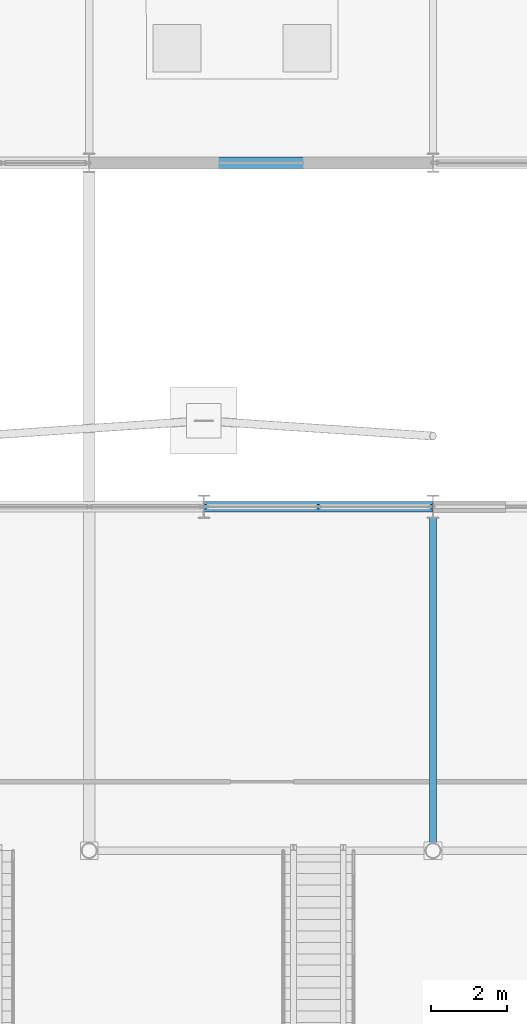
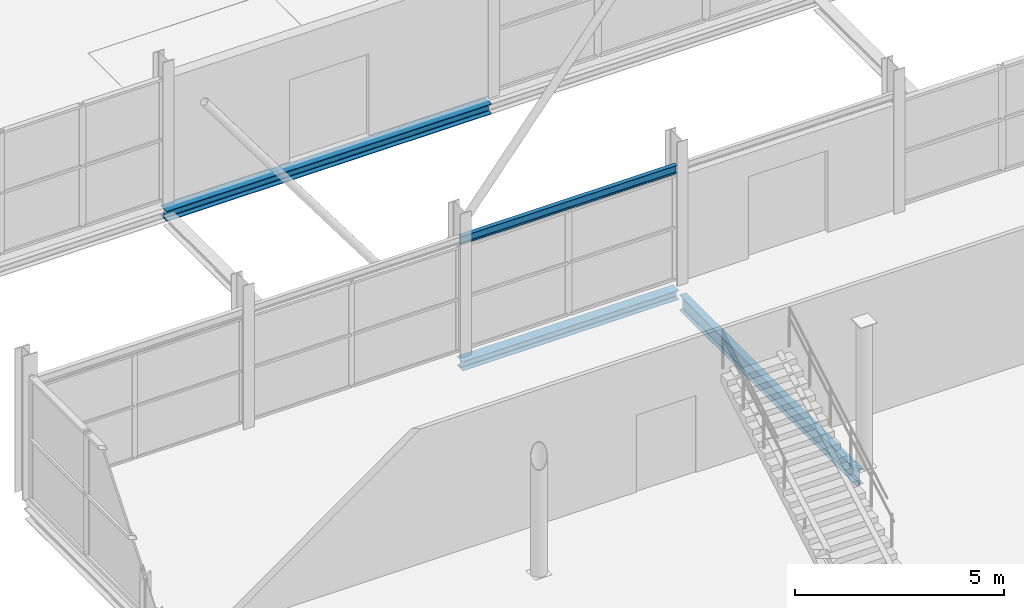
# One storey, part 41 of 140: 4 beams.
"""IFC4 building model written with IfcOpenShell, lengths in metres."""

from ifc_helpers import new_model, si_unit, direction, frame, origin, origin_2d, place, context, subcontext, project, spatial, i_section, extrude, material, material_profile, profile_set, type_object, element, save


model = new_model("IFC4")

# Units and contexts
model_context = context("Model", 3, precision=1e-05, world=origin(), true_north=direction((0.0, 1.0)))
body_context = subcontext(model_context, "Body", "Model", "MODEL_VIEW")
ifc_project = project(units=[si_unit("LENGTHUNIT", "METRE"), si_unit("AREAUNIT", "SQUARE_METRE"), si_unit("VOLUMEUNIT", "CUBIC_METRE"), si_unit("PLANEANGLEUNIT", "RADIAN"), si_unit("MASSUNIT", "GRAM", prefix="KILO")], contexts=[model_context])

# Site, building, storey
site_placement = place(None, origin())
site = spatial("IfcSite", under=ifc_project, at=site_placement, CompositionType="ELEMENT")
building_placement = place(site_placement, origin())
building = spatial("IfcBuilding", under=site, at=building_placement, Name="Deido Ridge Mobility Hub", CompositionType="ELEMENT")
storey_placement = place(building_placement, origin())
storey = spatial("IfcBuildingStorey", under=building, at=storey_placement, Name="L00", CompositionType="ELEMENT", Elevation=0.0)

# Beams
ifc_material = material(Name="Steel S355J2 EN 10025-2", Category="steel")
ifc_material_profile_1 = material_profile(ifc_material, i_section(OverallWidth=0.18994140625, OverallDepth=0.449951171875, WebThickness=0.009521484375, FlangeThickness=0.0146484375, FilletRadius=0.02099609375, at=origin_2d()), Name="IPE 450")
ifc_profile_set_1 = profile_set([ifc_material_profile_1], Name="Steel S355J2 EN 10025-2")
beam_type_1 = type_object("IfcBeamType", Name="BM-IPE450", PredefinedType="BEAM", material=ifc_profile_set_1)
beam_1_placement = place(storey_placement, frame((18.0, 27.203125, -0.485107421875), z_axis=(0.0, 1.0, 0.0), x_axis=(-1.0, 0.0, 0.0)))
element("IfcBeam", 1, at=beam_1_placement, inside=storey, type_object=beam_type_1, Name="Floor beam B4", PredefinedType="BEAM", context=body_context, shape_type="SweptSolid", body=[
    extrude(i_section(OverallWidth=0.18994140625, OverallDepth=0.449951171875, WebThickness=0.009521484375, FlangeThickness=0.0146484375, FilletRadius=0.02099609375, at=origin_2d()), origin(), (0.0, 0.0, 1.0), 8.496826171875),
])
ifc_material_profile_2 = material_profile(ifc_material, i_section(OverallWidth=0.1201171875, OverallDepth=0.239990234375, WebThickness=0.006103515625, FlangeThickness=0.009765625, FilletRadius=0.014892578125, at=origin_2d()), Name="IPE 240")
ifc_profile_set_2 = profile_set([ifc_material_profile_2], Name="Steel S355J2 EN 10025-2")
beam_type_2 = type_object("IfcBeamType", Name="LNT-IPE240", PredefinedType="LINTEL", material=ifc_profile_set_2)
beam_2_placement = place(storey_placement, frame((12.0078125, 36.0, 3.22998046875), z_axis=(1.0, 0.0, 0.0), x_axis=(0.0, 1.0, 0.0)))
element("IfcBeam", 2, at=beam_2_placement, inside=storey, type_object=beam_type_2, Name="Opening lintel LN1", PredefinedType="LINTEL", context=body_context, shape_type="SweptSolid", body=[
    extrude(i_section(OverallWidth=0.1201171875, OverallDepth=0.239990234375, WebThickness=0.006103515625, FlangeThickness=0.009765625, FilletRadius=0.014892578125, at=origin_2d()), origin(), (0.0, 0.0, 1.0), 5.984375),
])
ifc_material_profile_3 = material_profile(ifc_material, i_section(OverallWidth=0.280029296875, OverallDepth=0.27001953125, WebThickness=0.008056640625, FlangeThickness=0.012939453125, FilletRadius=0.02392578125, at=origin_2d()), Name="HEA 280")
ifc_profile_set_3 = profile_set([ifc_material_profile_3], Name="Steel S355J2 EN 10025-2")
beam_type_3 = type_object("IfcBeamType", Name="SPD-HEA280", PredefinedType="SPANDREL", material=ifc_profile_set_3)
beam_3_placement = place(storey_placement, frame((12.0078125, 36.0, -0.39501953125), z_axis=(1.0, 0.0, 0.0), x_axis=(0.0, 1.0, 0.0)))
element("IfcBeam", 3, at=beam_3_placement, inside=storey, type_object=beam_type_3, Name="Floor beam SP2", PredefinedType="SPANDREL", context=body_context, shape_type="SweptSolid", body=[
    extrude(i_section(OverallWidth=0.280029296875, OverallDepth=0.27001953125, WebThickness=0.008056640625, FlangeThickness=0.012939453125, FilletRadius=0.02392578125, at=origin_2d()), origin(), (0.0, 0.0, 1.0), 5.984375),
])
ifc_material_profile_4 = material_profile(ifc_material, i_section(OverallWidth=0.300048828125, OverallDepth=0.300048828125, WebThickness=0.010986328125, FlangeThickness=0.01904296875, FilletRadius=0.027099609375, at=origin_2d()), Name="HEB 300")
ifc_profile_set_4 = profile_set([ifc_material_profile_4], Name="Steel S355J2 EN 10025-2")
beam_type_4 = type_object("IfcBeamType", Name="SPD-HEB300", PredefinedType="SPANDREL", material=ifc_profile_set_4)
beam_4_placement = place(storey_placement, frame((9.00732421875, 45.0, -0.409912109375), z_axis=(1.0, 0.0, 0.0), x_axis=(0.0, 1.0, 0.0)))
element("IfcBeam", 4, at=beam_4_placement, inside=storey, type_object=beam_type_4, Name="Floor beam SP1", PredefinedType="SPANDREL", context=body_context, shape_type="SweptSolid", body=[
    extrude(i_section(OverallWidth=0.300048828125, OverallDepth=0.300048828125, WebThickness=0.010986328125, FlangeThickness=0.01904296875, FilletRadius=0.027099609375, at=origin_2d()), origin(), (0.0, 0.0, 1.0), 8.985595703125),
])

save(model, "model.ifc")
